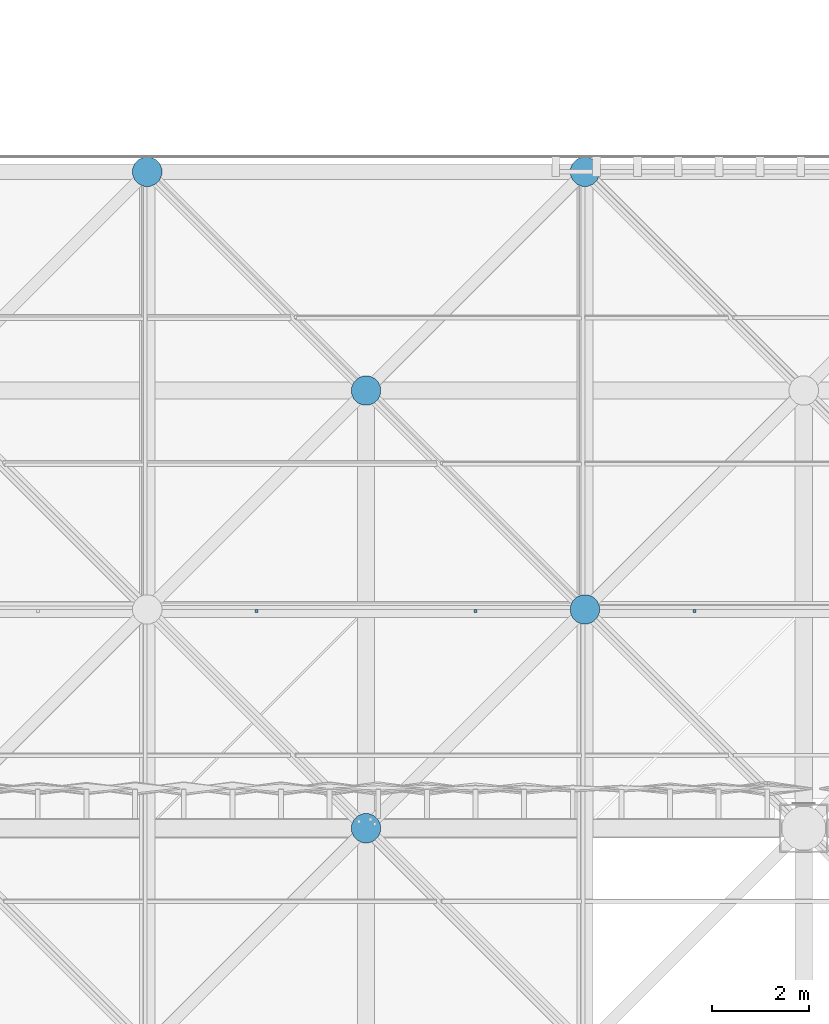
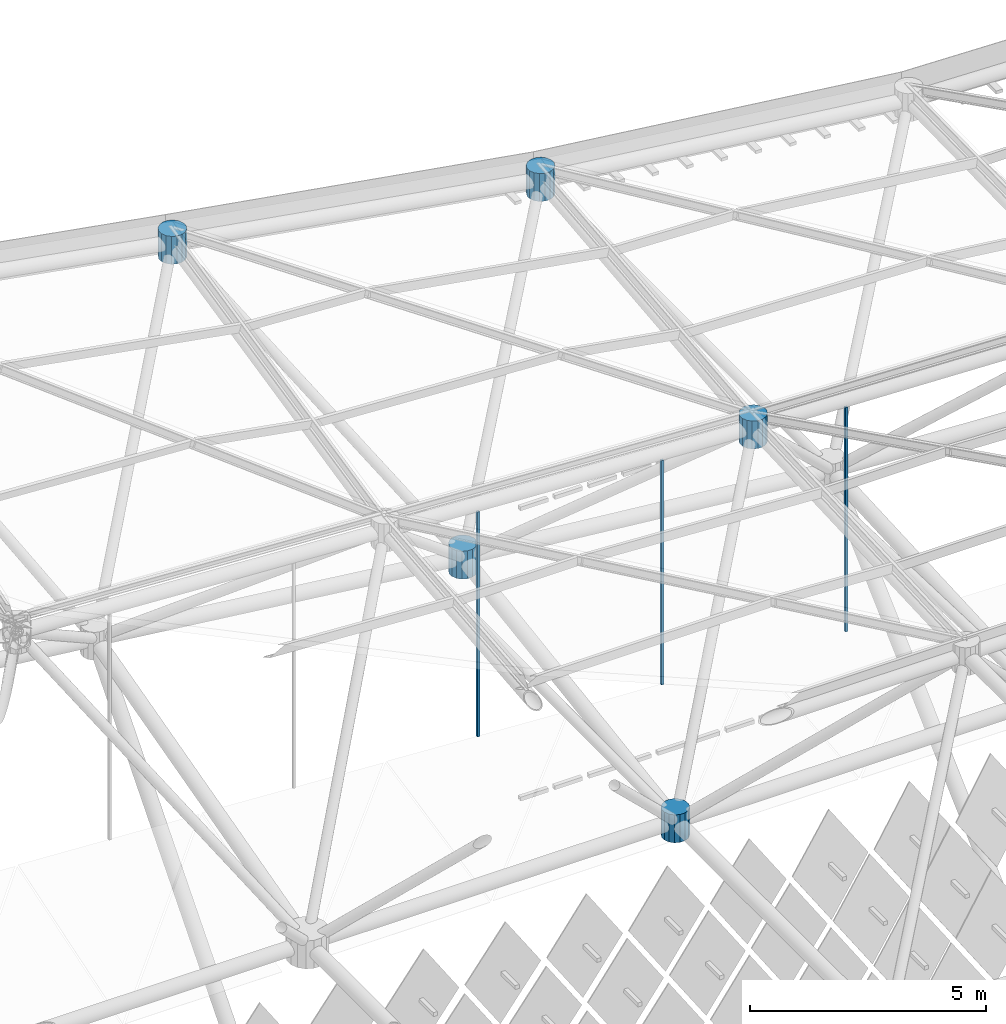
# One storey, part 321 of 437: 8 discrete accessories.
"""IFC4 building model written with IfcOpenShell, lengths in metres."""

import ifcopenshell
import ifcopenshell.guid

model = None  # the IFC model being written
_history = None  # IfcOwnerHistory: only IFC2X3 demands one
_inside = {}  # id of a spatial element -> (the spatial element, [elements in it])
_under = {}  # id of a project, library or spatial element -> (it, [spatial elements below it])
_declared = {}  # id of a project -> (the project, [libraries it declares])
_typed = {}  # id of a type object -> (the type object, [elements of that type])
_made_of = {}  # id of a material, layer set ... -> (it, [elements and type objects made of it])


def new_model(schema):
    """Start an empty IFC model of exactly this schema.

    Asked for "IFC4X3", IfcOpenShell would pick the latest addendum, in which some entities
    have other attributes; the version numbers below select the first issue.
    IFC2X3 requires an IfcOwnerHistory on every rooted entity: one is made here for all.
    """
    global model, _history
    if schema == "IFC4X3":
        model = ifcopenshell.file(schema_version=(4, 3, 0, 0))
    else:
        model = ifcopenshell.file(schema=schema)
    _inside.clear()
    _under.clear()
    _declared.clear()
    _typed.clear()
    _made_of.clear()
    _history = None
    if model.schema == "IFC2X3":
        org = make("IfcOrganization", Name="unknown")
        user = make(
            "IfcPersonAndOrganization",
            ThePerson=make("IfcPerson", FamilyName="unknown"),
            TheOrganization=org,
        )
        app = make(
            "IfcApplication",
            ApplicationDeveloper=org,
            Version="unknown",
            ApplicationFullName="unknown",
            ApplicationIdentifier="unknown",
        )
        _history = make(
            "IfcOwnerHistory",
            OwningUser=user,
            OwningApplication=app,
            ChangeAction="ADDED",
            CreationDate=0,
        )
    return model


def make(cls, **values):
    """One entity of the class cls with the attributes given. An attribute that is None is left unset."""
    return model.create_entity(
        cls, **{name: value for name, value in values.items() if value is not None}
    )


def rooted(cls, **values):
    """An entity with a GlobalId (a new one), such as an element, a storey or a relation."""
    return make(cls, GlobalId=ifcopenshell.guid.new(), OwnerHistory=_history, **values)


def si_unit(unit_type, name, prefix=None):
    """IfcSIUnit, for example si_unit("LENGTHUNIT", "METRE", prefix="MILLI")."""
    return make("IfcSIUnit", UnitType=unit_type, Prefix=prefix, Name=name)


def assignment(units):
    """IfcUnitAssignment: the units of a project."""
    return None if units is None else make("IfcUnitAssignment", Units=units)


def point(xyz):
    """IfcCartesianPoint."""
    return None if xyz is None else make("IfcCartesianPoint", Coordinates=xyz)


def direction(xyz):
    """IfcDirection."""
    return None if xyz is None else make("IfcDirection", DirectionRatios=xyz)


def frame(location, z_axis=None, x_axis=None):
    """IfcAxis2Placement3D, a coordinate frame: its origin and axes. An axis left out is left unset."""
    return make(
        "IfcAxis2Placement3D",
        Location=point(location),
        Axis=direction(z_axis),
        RefDirection=direction(x_axis),
    )


def origin():
    """The frame at (0, 0, 0) with its axes left unset."""
    return frame((0.0, 0.0, 0.0))


def place(relative_to, where):
    """IfcLocalPlacement: puts the frame where relative to a parent placement (None: the world)."""
    return make(
        "IfcLocalPlacement", PlacementRelTo=relative_to, RelativePlacement=where
    )


def context(
    kind, dimensions, precision=None, world=None, true_north=None, identifier=None
):
    """IfcGeometricRepresentationContext, for example the 3D "Model" context."""
    return make(
        "IfcGeometricRepresentationContext",
        ContextIdentifier=identifier,
        ContextType=kind,
        CoordinateSpaceDimension=dimensions,
        Precision=precision,
        WorldCoordinateSystem=world,
        TrueNorth=true_north,
    )


def subcontext(parent, identifier, kind, view, scale=None):
    """IfcGeometricRepresentationSubContext, for example "Body" below "Model"."""
    return make(
        "IfcGeometricRepresentationSubContext",
        ContextIdentifier=identifier,
        ContextType=kind,
        ParentContext=parent,
        TargetScale=scale,
        TargetView=view,
    )


def project(units=None, contexts=None):
    """IfcProject with its units and contexts."""
    return rooted(
        "IfcProject",
        Name="project",
        RepresentationContexts=contexts,
        UnitsInContext=assignment(units),
    )


def spatial(cls, under=None, at=None, **own):
    """A site, building, storey or space (cls), placed at a placement, below another one or the project."""
    s = rooted(cls, ObjectPlacement=at, **own)
    if under is not None:
        _under.setdefault(under.id(), (under, []))[1].append(s)
    return s


def polyline(points):
    """IfcPolyline through the points."""
    return make("IfcPolyline", Points=[point(p) for p in points])


def outline(outer, holes=None, kind="AREA"):
    """IfcArbitraryClosedProfileDef: a profile drawn as a closed curve; with holes, ...WithVoids."""
    if holes is None:
        return make("IfcArbitraryClosedProfileDef", ProfileType=kind, OuterCurve=outer)
    return make(
        "IfcArbitraryProfileDefWithVoids",
        ProfileType=kind,
        OuterCurve=outer,
        InnerCurves=holes,
    )


def extrude(swept, where, along, depth):
    """IfcExtrudedAreaSolid: the profile swept, set in the frame where, extruded along a direction by depth."""
    return make(
        "IfcExtrudedAreaSolid",
        SweptArea=swept,
        Position=where,
        ExtrudedDirection=direction(along),
        Depth=depth,
    )


def shape(context_of_items, identifier, shape_type, items):
    """IfcShapeRepresentation: the items that make up one representation, for example the "Body"."""
    return make(
        "IfcShapeRepresentation",
        ContextOfItems=context_of_items,
        RepresentationIdentifier=identifier,
        RepresentationType=shape_type,
        Items=items,
    )


def material(Name=None, Category=None):
    """IfcMaterial."""
    return make("IfcMaterial", Name=Name, Category=Category)


def made_of(thing, what):
    """Note that an element or type object is made of a material, layer set ...; save() writes the relation."""
    if what is not None:
        _made_of.setdefault(what.id(), (what, []))[1].append(thing)
    return thing


def type_object(cls, material=None, **own):
    """A type object (cls), such as IfcWallType, which elements share."""
    return made_of(rooted(cls, **own), material)


def element(
    cls,
    number,
    at=None,
    inside=None,
    cuts=None,
    type_object=None,
    material=None,
    context=None,
    identifier="Body",
    shape_type=None,
    held_by="IfcProductDefinitionShape",
    body=None,
    shapes=None,
    **own,
):
    """One element of the class cls, such as IfcWall. Its Tag is "e" and its number.

    at: its placement. inside: the storey or other place that contains it. cuts: it is an
    opening in that element (IfcRelVoidsElement). A single representation is given by context,
    identifier, shape_type and body (its items); several are given by shapes. held_by: the class
    of the entity that holds the representations. save() writes the other relations.
    """
    e = rooted(cls, Tag="e%d" % number, ObjectPlacement=at, **own)
    if body is not None:
        shapes = [shape(context, identifier, shape_type, body)]
    if shapes is not None:
        e.Representation = make(held_by, Representations=shapes)
    if inside is not None:
        _inside.setdefault(inside.id(), (inside, []))[1].append(e)
    if cuts is not None:
        rooted(
            "IfcRelVoidsElement", RelatingBuildingElement=cuts, RelatedOpeningElement=e
        )
    if type_object is not None:
        _typed.setdefault(type_object.id(), (type_object, []))[1].append(e)
    return made_of(e, material)


def aggregate(whole, parts):
    """IfcRelAggregates: a whole, such as a stair, and the parts it consists of."""
    return rooted("IfcRelAggregates", RelatingObject=whole, RelatedObjects=parts)


def save(model, path):
    """Write the relations noted so far, then the file.

    IfcRelAggregates (storeys below a building ...), IfcRelContainedInSpatialStructure (elements
    in a storey), IfcRelDefinesByType, IfcRelAssociatesMaterial and IfcRelDeclares: one each for
    every whole, place, type object, material and project.
    """
    for whole, parts in _under.values():
        aggregate(whole, parts)
    for where, things in _inside.values():
        rooted(
            "IfcRelContainedInSpatialStructure",
            RelatedElements=things,
            RelatingStructure=where,
        )
    for kind, things in _typed.values():
        rooted("IfcRelDefinesByType", RelatedObjects=things, RelatingType=kind)
    for what, things in _made_of.values():
        rooted("IfcRelAssociatesMaterial", RelatedObjects=things, RelatingMaterial=what)
    for by, libraries in _declared.values():
        rooted("IfcRelDeclares", RelatingContext=by, RelatedDefinitions=libraries)
    model.write(path)


model = new_model("IFC4")

# Units and contexts
model_context = context("Model", 3, precision=1e-05, world=origin(), true_north=direction((0.0, 1.0)))
body_context = subcontext(model_context, "Body", "Model", "MODEL_VIEW")
ifc_project = project(units=[si_unit("LENGTHUNIT", "METRE"), si_unit("AREAUNIT", "SQUARE_METRE"), si_unit("VOLUMEUNIT", "CUBIC_METRE"), si_unit("PLANEANGLEUNIT", "RADIAN"), si_unit("MASSUNIT", "GRAM", prefix="KILO")], contexts=[model_context])

# Site, building, storey
site_placement = place(None, origin())
site = spatial("IfcSite", under=ifc_project, at=site_placement, CompositionType="ELEMENT")
building_placement = place(site_placement, origin())
building = spatial("IfcBuilding", under=site, at=building_placement, Name="Opaline Strait Convention Centre", CompositionType="ELEMENT")
storey_placement = place(building_placement, frame((0.0, 0.0, 11.5)))
storey = spatial("IfcBuildingStorey", under=building, at=storey_placement, Name="L02", CompositionType="ELEMENT", Elevation=11.5)

# Discrete accessories
ifc_material_1 = material(Name="Steel Q355B", Category="steel")
discrete_accessory_type_1 = type_object("IfcDiscreteAccessoryType", Name="Soffit hanger 60x60 steel", PredefinedType="BRACKET", material=ifc_material_1)
discrete_accessory_1_placement = place(storey_placement, frame((0.0, 0.0, 12.7626953125)))
element("IfcDiscreteAccessory", 1, at=discrete_accessory_1_placement, inside=storey, type_object=discrete_accessory_type_1, Name="Soffit hanger", PredefinedType="BRACKET", context=body_context, shape_type="SweptSolid", body=[
    extrude(outline(polyline([(123.719970703125, 157.43505859375), (123.780029296875, 157.43505859375), (123.780029296875, 157.4951171875), (123.719970703125, 157.4951171875), (123.719970703125, 157.43505859375)])), origin(), (0.0, 0.0, 1.0), 5.814208984375),
])
discrete_accessory_2_placement = place(storey_placement, frame((0.0, 0.0, 12.537109375)))
element("IfcDiscreteAccessory", 2, at=discrete_accessory_2_placement, inside=storey, type_object=discrete_accessory_type_1, Name="Soffit hanger", PredefinedType="BRACKET", context=body_context, shape_type="SweptSolid", body=[
    extrude(outline(polyline([(128.219970703125, 157.43505859375), (128.280029296875, 157.43505859375), (128.280029296875, 157.4951171875), (128.219970703125, 157.4951171875), (128.219970703125, 157.43505859375)])), origin(), (0.0, 0.0, 1.0), 5.795654296875),
])
discrete_accessory_3_placement = place(storey_placement, frame((0.0, 0.0, 12.32763671875)))
element("IfcDiscreteAccessory", 3, at=discrete_accessory_3_placement, inside=storey, type_object=discrete_accessory_type_1, Name="Soffit hanger", PredefinedType="BRACKET", context=body_context, shape_type="SweptSolid", body=[
    extrude(outline(polyline([(132.719970703125, 157.43505859375), (132.780029296875, 157.43505859375), (132.780029296875, 157.4951171875), (132.719970703125, 157.4951171875), (132.719970703125, 157.43505859375)])), origin(), (0.0, 0.0, 1.0), 5.799072265625),
])
ifc_material_2 = material(Name="Cast steel ZG300-500H (300 MPa)", Category="steel")
discrete_accessory_type_2 = type_object("IfcDiscreteAccessoryType", Name="Space frame node hub D600", PredefinedType="USERDEFINED", material=ifc_material_2)
discrete_accessory_4_placement = place(storey_placement, frame((0.0, 0.0, 20.478759765625)))
element("IfcDiscreteAccessory", 4, at=discrete_accessory_4_placement, inside=storey, type_object=discrete_accessory_type_2, Name="Top node 5/15", ObjectType="NODE HUB", PredefinedType="USERDEFINED", context=body_context, shape_type="SweptSolid", body=[
    extrude(outline(polyline([(121.800048828125, 166.559814453125), (121.75439453125, 166.669921875), (121.669921875, 166.75439453125), (121.559814453125, 166.800048828125), (121.440185546875, 166.800048828125), (121.330078125, 166.75439453125), (121.24560546875, 166.669921875), (121.199951171875, 166.559814453125), (121.199951171875, 166.440185546875), (121.24560546875, 166.330078125), (121.330078125, 166.24560546875), (121.440185546875, 166.199951171875), (121.559814453125, 166.199951171875), (121.669921875, 166.24560546875), (121.75439453125, 166.330078125), (121.800048828125, 166.440185546875), (121.800048828125, 166.559814453125)])), origin(), (0.0, 0.0, 1.0), 0.719970703125),
])
discrete_accessory_5_placement = place(storey_placement, frame((0.0, 0.0, 18.013427734375)))
element("IfcDiscreteAccessory", 5, at=discrete_accessory_5_placement, inside=storey, type_object=discrete_accessory_type_2, Name="Top node 6/14", ObjectType="NODE HUB", PredefinedType="USERDEFINED", context=body_context, shape_type="SweptSolid", body=[
    extrude(outline(polyline([(130.800048828125, 157.559814453125), (130.75439453125, 157.669921875), (130.669921875, 157.75439453125), (130.559814453125, 157.800048828125), (130.440185546875, 157.800048828125), (130.330078125, 157.75439453125), (130.24560546875, 157.669921875), (130.199951171875, 157.559814453125), (130.199951171875, 157.440185546875), (130.24560546875, 157.330078125), (130.330078125, 157.24560546875), (130.440185546875, 157.199951171875), (130.559814453125, 157.199951171875), (130.669921875, 157.24560546875), (130.75439453125, 157.330078125), (130.800048828125, 157.440185546875), (130.800048828125, 157.559814453125)])), origin(), (0.0, 0.0, 1.0), 0.719970703125),
])
discrete_accessory_6_placement = place(storey_placement, frame((0.0, 0.0, 18.951416015625)))
element("IfcDiscreteAccessory", 6, at=discrete_accessory_6_placement, inside=storey, type_object=discrete_accessory_type_2, Name="Top node 6/15", ObjectType="NODE HUB", PredefinedType="USERDEFINED", context=body_context, shape_type="SweptSolid", body=[
    extrude(outline(polyline([(130.800048828125, 166.559814453125), (130.75439453125, 166.669921875), (130.669921875, 166.75439453125), (130.559814453125, 166.800048828125), (130.440185546875, 166.800048828125), (130.330078125, 166.75439453125), (130.24560546875, 166.669921875), (130.199951171875, 166.559814453125), (130.199951171875, 166.440185546875), (130.24560546875, 166.330078125), (130.330078125, 166.24560546875), (130.440185546875, 166.199951171875), (130.559814453125, 166.199951171875), (130.669921875, 166.24560546875), (130.75439453125, 166.330078125), (130.800048828125, 166.440185546875), (130.800048828125, 166.559814453125)])), origin(), (0.0, 0.0, 1.0), 0.719970703125),
])
discrete_accessory_7_placement = place(storey_placement, frame((0.0, 0.0, 12.139892578125)))
element("IfcDiscreteAccessory", 7, at=discrete_accessory_7_placement, inside=storey, type_object=discrete_accessory_type_2, Name="Bottom node 5/13", ObjectType="NODE HUB", PredefinedType="USERDEFINED", context=body_context, shape_type="SweptSolid", body=[
    extrude(outline(polyline([(126.300048828125, 153.059814453125), (126.25439453125, 153.169921875), (126.169921875, 153.25439453125), (126.059814453125, 153.300048828125), (125.940185546875, 153.300048828125), (125.830078125, 153.25439453125), (125.74560546875, 153.169921875), (125.699951171875, 153.059814453125), (125.699951171875, 152.940185546875), (125.74560546875, 152.830078125), (125.830078125, 152.74560546875), (125.940185546875, 152.699951171875), (126.059814453125, 152.699951171875), (126.169921875, 152.74560546875), (126.25439453125, 152.830078125), (126.300048828125, 152.940185546875), (126.300048828125, 153.059814453125)])), origin(), (0.0, 0.0, 1.0), 0.72021484375),
])
discrete_accessory_8_placement = place(storey_placement, frame((0.0, 0.0, 13.49462890625)))
element("IfcDiscreteAccessory", 8, at=discrete_accessory_8_placement, inside=storey, type_object=discrete_accessory_type_2, Name="Bottom node 5/14", ObjectType="NODE HUB", PredefinedType="USERDEFINED", context=body_context, shape_type="SweptSolid", body=[
    extrude(outline(polyline([(126.300048828125, 162.059814453125), (126.25439453125, 162.169921875), (126.169921875, 162.25439453125), (126.059814453125, 162.300048828125), (125.940185546875, 162.300048828125), (125.830078125, 162.25439453125), (125.74560546875, 162.169921875), (125.699951171875, 162.059814453125), (125.699951171875, 161.940185546875), (125.74560546875, 161.830078125), (125.830078125, 161.74560546875), (125.940185546875, 161.699951171875), (126.059814453125, 161.699951171875), (126.169921875, 161.74560546875), (126.25439453125, 161.830078125), (126.300048828125, 161.940185546875), (126.300048828125, 162.059814453125)])), origin(), (0.0, 0.0, 1.0), 0.719970703125),
])

save(model, "model.ifc")
